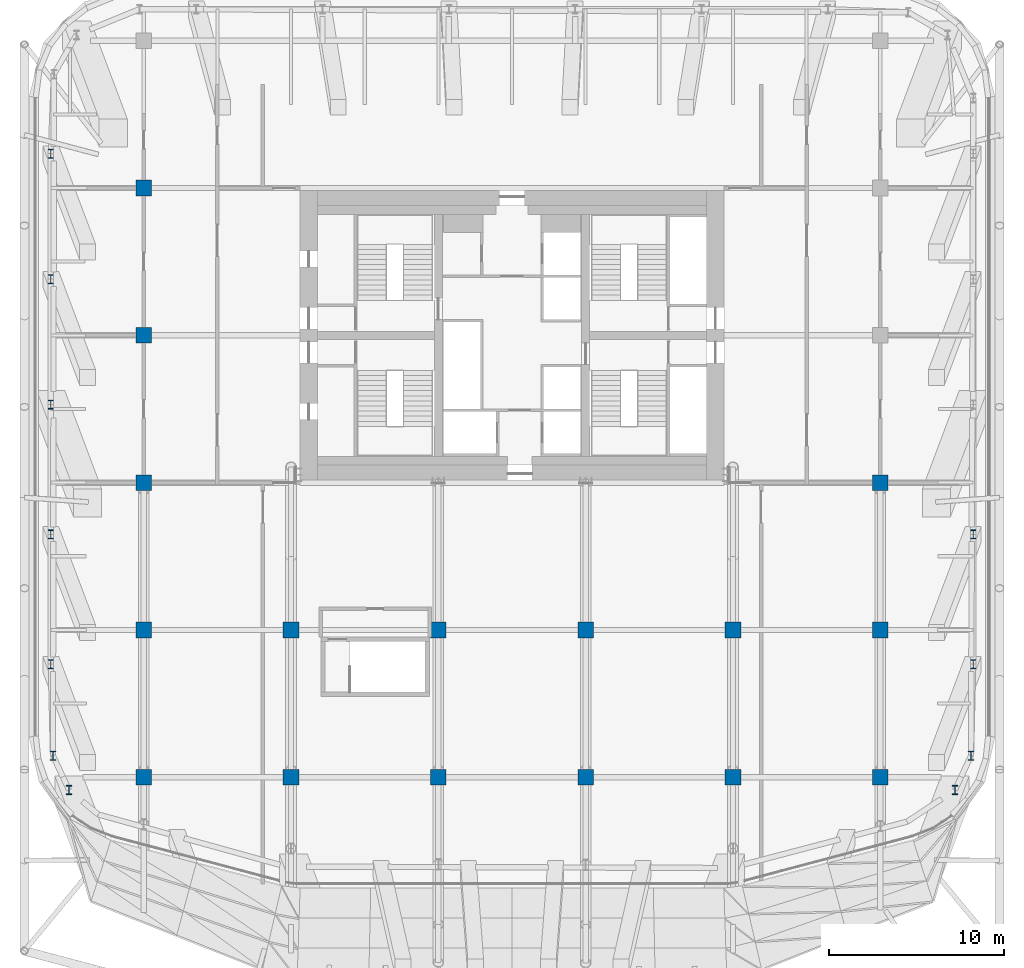
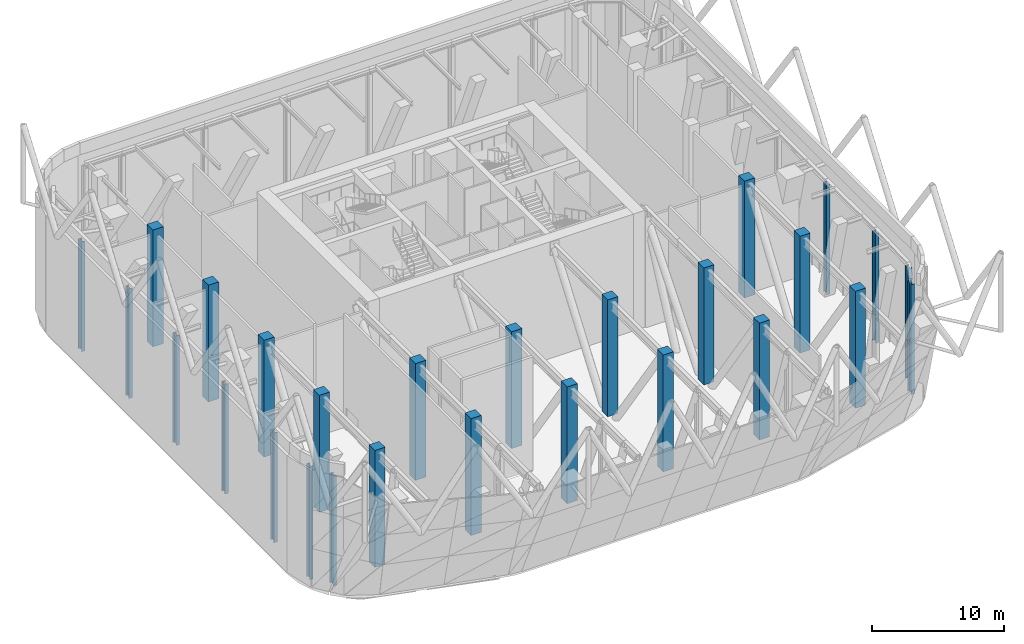
# One storey, part 1 of 20: 27 columns.
"""IFC4 building model written with IfcOpenShell, lengths in metres."""

from ifc_helpers import new_model, si_unit, direction, frame, origin, origin_2d, place, context, subcontext, project, spatial, rectangle, i_section, extrude, material, material_profile, profile_set, type_object, element, save


model = new_model("IFC4")

# Units and contexts
model_context = context("Model", 3, precision=1e-05, world=origin(), true_north=direction((0.0, 1.0)))
body_context = subcontext(model_context, "Body", "Model", "MODEL_VIEW")
ifc_project = project(units=[si_unit("LENGTHUNIT", "METRE"), si_unit("AREAUNIT", "SQUARE_METRE"), si_unit("VOLUMEUNIT", "CUBIC_METRE"), si_unit("PLANEANGLEUNIT", "RADIAN"), si_unit("MASSUNIT", "GRAM", prefix="KILO")], contexts=[model_context])

# Site, building, storey
site_placement = place(None, origin())
site = spatial("IfcSite", under=ifc_project, at=site_placement, CompositionType="ELEMENT")
building_placement = place(site_placement, origin())
building = spatial("IfcBuilding", under=site, at=building_placement, Name="Marenta Gate Hotel Tower", CompositionType="ELEMENT")
storey_placement = place(building_placement, frame((0.0, 0.0, 169.699951171875)))
storey = spatial("IfcBuildingStorey", under=building, at=storey_placement, Name="L40", CompositionType="ELEMENT", Elevation=169.699951171875)

# Columns
ifc_material_1 = material(Name="Concrete C70", Category="concrete")
ifc_material_profile_1 = material_profile(ifc_material_1, rectangle(XDim=0.89990234375, YDim=0.89990234375, at=origin_2d()), Name="900 x 900")
ifc_profile_set_1 = profile_set([ifc_material_profile_1], Name="Concrete C70")
column_type_1 = type_object("IfcColumnType", Name="Interior column 900 x 900 C70", PredefinedType="COLUMN", material=ifc_profile_set_1)
for number, where, z_axis, x_axis, name in (
    (1, (-21.0, -16.800048828125, 0.0), (0.0, 0.0, 1.0), (1.0, 0.0, 0.0), "L40-IC-4D"),
    (2, (-21.0, -8.39990234375, 0.0), (0.0, 0.0, 1.0), (1.0, 0.0, 0.0), "L40-IC-4E"),
    (3, (-21.0, 0.0, 0.0), (0.0, 0.0, 1.0), (1.0, 0.0, 0.0), "L40-IC-4F"),
    (4, (-21.0, 8.39990234375, 0.0), (0.0, 0.0, 1.0), (1.0, 0.0, 0.0), "L40-IC-4G"),
    (5, (-21.0, 16.800048828125, 0.0), (0.0, 0.0, 1.0), (1.0, 0.0, 0.0), "L40-IC-4H"),
    (6, (-12.60009765625, -16.800048828125, 0.0), (0.0, 0.0, 1.0), (1.0, 0.0, 0.0), "L40-IC-5D"),
    (7, (-12.60009765625, -8.39990234375, 0.0), (0.0, 0.0, 1.0), (1.0, 0.0, 0.0), "L40-IC-5E"),
    (8, (-4.199951171875, -16.800048828125, 0.0), (0.0, 0.0, 1.0), (1.0, 0.0, 0.0), "L40-IC-6D"),
    (9, (-4.199951171875, -8.39990234375, 0.0), (0.0, 0.0, 1.0), (1.0, 0.0, 0.0), "L40-IC-6E"),
    (10, (4.199951171875, -16.800048828125, 0.0), (0.0, 0.0, 1.0), (1.0, 0.0, 0.0), "L40-IC-7D"),
    (11, (4.199951171875, -8.39990234375, 0.0), (0.0, 0.0, 1.0), (1.0, 0.0, 0.0), "L40-IC-7E"),
    (12, (12.60009765625, -16.800048828125, 0.0), (0.0, 0.0, 1.0), (1.0, 0.0, 0.0), "L40-IC-8D"),
    (13, (12.60009765625, -8.39990234375, 0.0), (0.0, 0.0, 1.0), (1.0, 0.0, 0.0), "L40-IC-8E"),
    (14, (21.0, -16.800048828125, 0.0), (0.0, 0.0, 1.0), (1.0, 0.0, 0.0), "L40-IC-9D"),
    (15, (21.0, -8.39990234375, 0.0), (0.0, 0.0, 1.0), (1.0, 0.0, 0.0), "L40-IC-9E"),
    (16, (21.0, 0.0, 0.0), (0.0, 0.0, 1.0), (1.0, 0.0, 0.0), "L40-IC-9F"),
):
    element("IfcColumn", number, at=place(storey_placement, frame(where, z_axis=z_axis, x_axis=x_axis)), inside=storey, type_object=column_type_1, Name=name, PredefinedType="COLUMN", context=body_context, shape_type="SweptSolid", body=[
        extrude(rectangle(XDim=0.89990234375, YDim=0.89990234375, at=origin_2d()), origin(), (0.0, 0.0, 1.0), 10.800048828125),
    ])
ifc_material_2 = material(Name="Steel S355", Category="steel")
ifc_material_profile_2 = material_profile(ifc_material_2, i_section(OverallWidth=0.305908203125, OverallDepth=0.52392578125, WebThickness=0.02392578125, FlangeThickness=0.0400390625, FilletRadius=0.027099609375, at=origin_2d()), Name="HEM 500")
ifc_profile_set_2 = profile_set([ifc_material_profile_2], Name="Steel S355")
column_type_2 = type_object("IfcColumnType", Name="Terrace post HEM 500", PredefinedType="COLUMN", material=ifc_profile_set_2)
column_1_placement = place(storey_placement, frame((-25.25830078125, -17.529296875, 0.0), z_axis=(0.0, 0.0, 1.0), x_axis=(1.0, 0.0, 0.0)))
element("IfcColumn", 17, at=column_1_placement, inside=storey, type_object=column_type_2, Name="TP-HEM500 L40-TP-1", PredefinedType="COLUMN", context=body_context, shape_type="SweptSolid", body=[
    extrude(i_section(OverallWidth=0.305908203125, OverallDepth=0.52392578125, WebThickness=0.02392578125, FlangeThickness=0.0400390625, FilletRadius=0.027099609375, at=origin_2d()), origin(), (0.0, 0.0, 1.0), 10.14013671875),
])
column_2_placement = place(storey_placement, frame((-26.175048828125, -15.567138671875, -0.300048828125), z_axis=(0.0, 0.0, 1.0), x_axis=(1.0, 0.0, 0.0)))
element("IfcColumn", 18, at=column_2_placement, inside=storey, type_object=column_type_2, Name="TP-HEM500 L40-TP-2", PredefinedType="COLUMN", context=body_context, shape_type="SweptSolid", body=[
    extrude(i_section(OverallWidth=0.305908203125, OverallDepth=0.52392578125, WebThickness=0.02392578125, FlangeThickness=0.0400390625, FilletRadius=0.027099609375, at=origin_2d()), origin(), (0.0, 0.0, 1.0), 10.440185546875),
])
for number, where, z_axis, x_axis, name in (
    (19, (-26.300048828125, -10.351806640625, 0.0), (0.0, 0.0, 1.0), (1.0, 0.0, 0.0), "TP-HEM500 L40-TP-3"),
    (20, (-26.300048828125, -2.950927734375, 0.0), (0.0, 0.0, 1.0), (1.0, 0.0, 0.0), "TP-HEM500 L40-TP-4"),
    (21, (-26.300048828125, 4.449951171875, 0.0), (0.0, 0.0, 1.0), (1.0, 0.0, 0.0), "TP-HEM500 L40-TP-5"),
    (22, (-26.300048828125, 11.603271484375, 0.0), (0.0, 0.0, 1.0), (1.0, 0.0, 0.0), "TP-HEM500 L40-TP-6"),
    (23, (-26.300048828125, 18.75634765625, 0.0), (0.0, 0.0, 1.0), (1.0, 0.0, 0.0), "TP-HEM500 L40-TP-7"),
    (24, (26.300048828125, -2.950927734375, 0.0), (0.0, 0.0, 1.0), (1.0, 0.0, 0.0), "TP-HEM500 L40-TP-23"),
    (25, (26.300048828125, -10.351806640625, 0.0), (0.0, 0.0, 1.0), (1.0, 0.0, 0.0), "TP-HEM500 L40-TP-24"),
):
    element("IfcColumn", number, at=place(storey_placement, frame(where, z_axis=z_axis, x_axis=x_axis)), inside=storey, type_object=column_type_2, Name=name, PredefinedType="COLUMN", context=body_context, shape_type="SweptSolid", body=[
        extrude(i_section(OverallWidth=0.305908203125, OverallDepth=0.52392578125, WebThickness=0.02392578125, FlangeThickness=0.0400390625, FilletRadius=0.027099609375, at=origin_2d()), origin(), (0.0, 0.0, 1.0), 10.14013671875),
    ])
column_3_placement = place(storey_placement, frame((26.175048828125, -15.567138671875, -0.300048828125), z_axis=(0.0, 0.0, 1.0), x_axis=(1.0, 0.0, 0.0)))
element("IfcColumn", 26, at=column_3_placement, inside=storey, type_object=column_type_2, Name="TP-HEM500 L40-TP-25", PredefinedType="COLUMN", context=body_context, shape_type="SweptSolid", body=[
    extrude(i_section(OverallWidth=0.305908203125, OverallDepth=0.52392578125, WebThickness=0.02392578125, FlangeThickness=0.0400390625, FilletRadius=0.027099609375, at=origin_2d()), origin(), (0.0, 0.0, 1.0), 10.440185546875),
])
column_4_placement = place(storey_placement, frame((25.25830078125, -17.529296875, 0.0), z_axis=(0.0, 0.0, 1.0), x_axis=(1.0, 0.0, 0.0)))
element("IfcColumn", 27, at=column_4_placement, inside=storey, type_object=column_type_2, Name="TP-HEM500 L40-TP-26", PredefinedType="COLUMN", context=body_context, shape_type="SweptSolid", body=[
    extrude(i_section(OverallWidth=0.305908203125, OverallDepth=0.52392578125, WebThickness=0.02392578125, FlangeThickness=0.0400390625, FilletRadius=0.027099609375, at=origin_2d()), origin(), (0.0, 0.0, 1.0), 10.14013671875),
])

save(model, "model.ifc")
